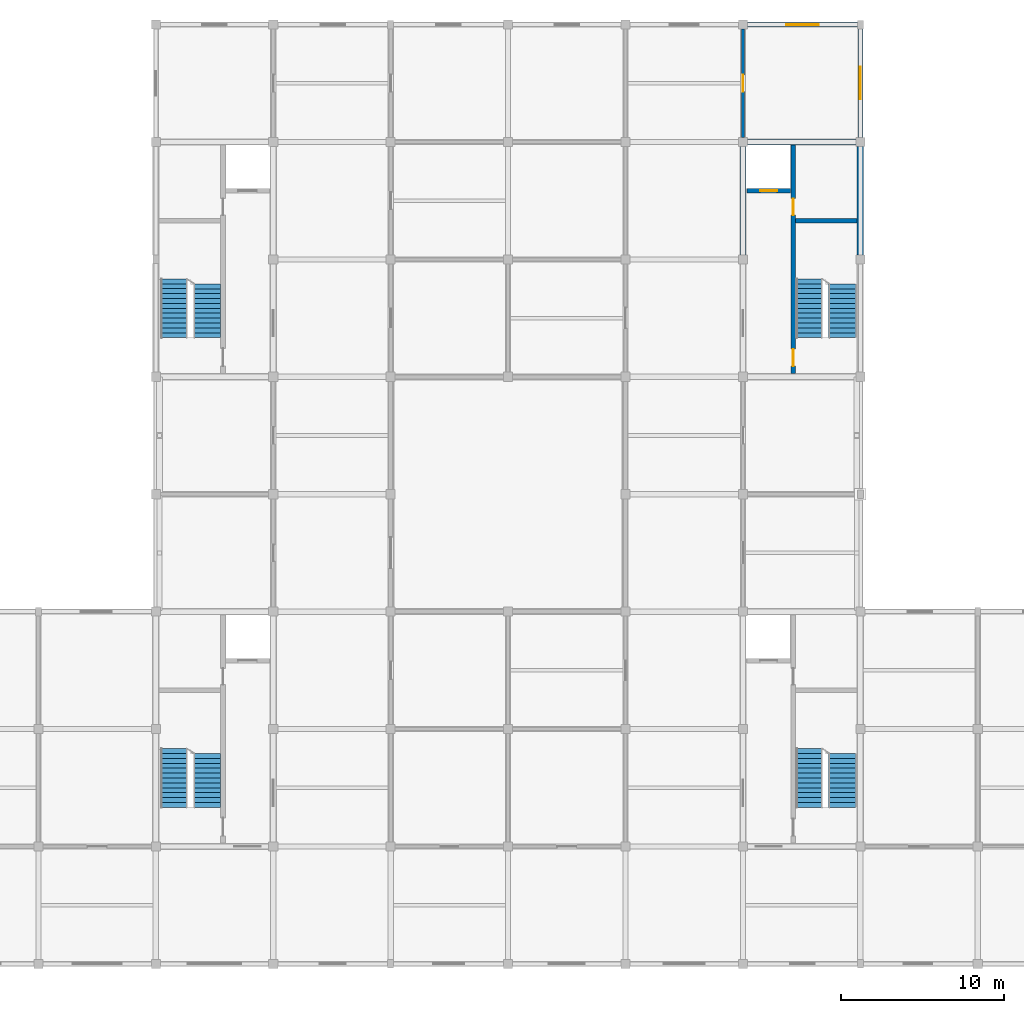
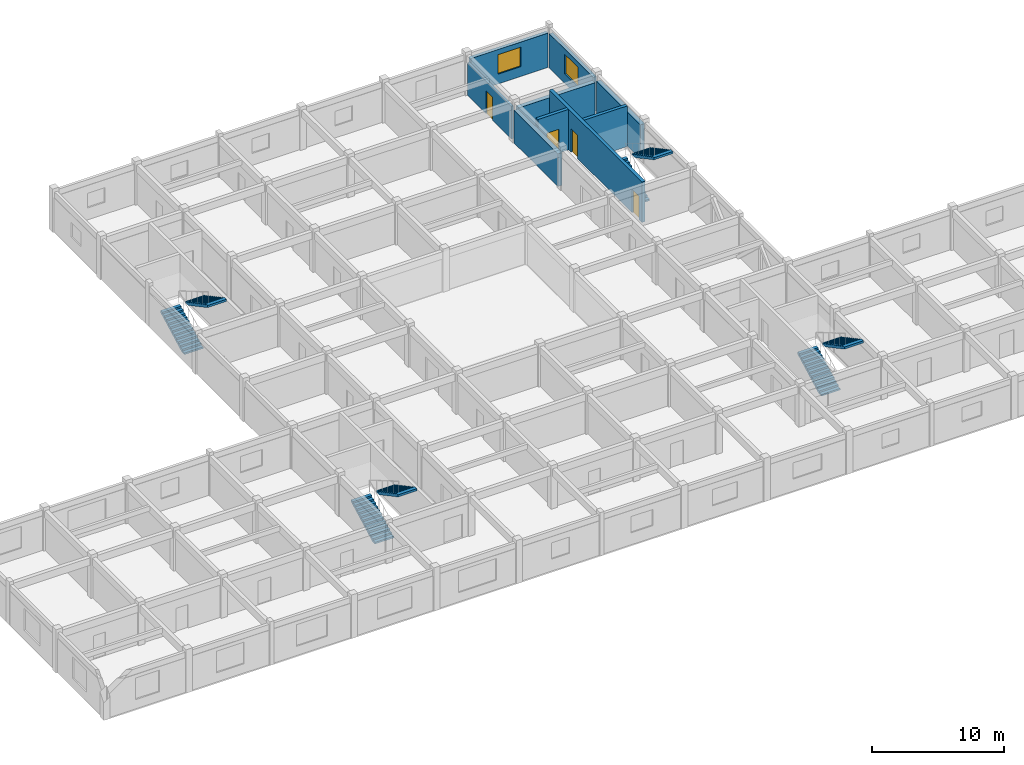
# One storey, part 9 of 10: 9 walls, 8 stair flights, 4 doors, 2 windows, 6 openings, 4 elements without a shape of their own.
"""IFC4 building model written with IfcOpenShell, lengths in metres."""

from ifc_helpers import new_model, si_unit, direction, frame, frame_2d, origin, place, context, subcontext, project, spatial, polyline, rectangle, outline, extrude, material, layer, layer_set, type_object, element, fill, aggregate, save


model = new_model("IFC4")

# Units and contexts
model_context = context("Model", 3, precision=1e-05, world=origin(), true_north=direction((0.0, 1.0)))
body_context = subcontext(model_context, "Body", "Model", "MODEL_VIEW")
ifc_project = project(units=[si_unit("LENGTHUNIT", "METRE"), si_unit("AREAUNIT", "SQUARE_METRE"), si_unit("VOLUMEUNIT", "CUBIC_METRE"), si_unit("PLANEANGLEUNIT", "RADIAN"), si_unit("MASSUNIT", "GRAM", prefix="KILO")], contexts=[model_context])

# Site, building, storey
site_placement = place(None, origin())
site = spatial("IfcSite", under=ifc_project, at=site_placement, CompositionType="ELEMENT")
building_placement = place(site_placement, origin())
building = spatial("IfcBuilding", under=site, at=building_placement, Name="Cendaluz Park School", CompositionType="ELEMENT")
storey_placement = place(building_placement, frame((0.0, 0.0, 38.800048828125)))
storey = spatial("IfcBuildingStorey", under=building, at=storey_placement, Name="L09", CompositionType="ELEMENT", Elevation=38.800048828125)

# Wall, opening, door
ifc_material_1 = material(Name="Gypsum Plasterboard on Cold-Formed Stud", Category="gypsum")
ifc_layer_1 = layer(ifc_material_1, 0.199951171875)
ifc_layer_set_1 = layer_set([ifc_layer_1], Name="Gypsum Plasterboard on Cold-Formed Stud")
wall_type_1 = type_object("IfcWallType", Name="W-AC20", PredefinedType="PARTITIONING", material=ifc_layer_set_1)
wall_1_placement = place(storey_placement, frame((100.800048828125, 57.8798828125, 0.0), z_axis=(0.0, 0.0, 1.0), x_axis=(0.0, 1.0, 0.0)))
wall_1 = element("IfcWall", 1, at=wall_1_placement, inside=storey, type_object=wall_type_1, Name="WL-FJ-BQ7", PredefinedType="PARTITIONING", context=body_context, shape_type="SweptSolid", body=[
    extrude(rectangle(XDim=6.64013671875, YDim=0.199951171875, at=frame_2d((3.320068359375, 0.0))), origin(), (0.0, 0.0, 1.0), 3.010009765625),
])
opening_1_placement = place(wall_1_placement, frame((2.81005859375, 0.0, 0.0)))
opening_1 = element("IfcOpeningElement", 2, at=opening_1_placement, cuts=wall_1, Name="Opening DCL-02", PredefinedType="OPENING", context=body_context, shape_type="SweptSolid", body=[
    extrude(rectangle(XDim=1.02001953125, YDim=2.1201171875, at=frame_2d((0.510009765625, 1.06005859375))), frame((0.0, 0.112060546875, 0.0), z_axis=(0.0, -1.0, 0.0), x_axis=(1.0, 0.0, 0.0)), (0.0, 0.0, 1.0), 0.223876953125),
])
ifc_material_2 = material(Name="Solid Core Hardwood", Category="wood")
door_type_1 = type_object("IfcDoorType", Name="DCL-02", OperationType="NOTDEFINED", PredefinedType="DOOR", material=ifc_material_2)
door_1_placement = place(opening_1_placement, frame((1.02001953125, 0.0, 0.0), z_axis=(0.0, 0.0, 1.0), x_axis=(-1.0, 0.0, 0.0)))
door_1 = element("IfcDoor", 3, at=door_1_placement, inside=storey, type_object=door_type_1, Name="D-L09-040", OperationType="SINGLE_SWING_RIGHT", OverallHeight=2.1201171875, OverallWidth=1.02001953125, PredefinedType="DOOR", context=body_context, shape_type="SweptSolid", body=[
    extrude(rectangle(XDim=1.02001953125, YDim=2.1201171875, at=frame_2d((0.510009765625, 1.06005859375))), frame((0.0, 0.02490234375, 0.0), z_axis=(0.0, -1.0, 0.0), x_axis=(1.0, 0.0, 0.0)), (0.0, 0.0, 1.0), 0.050048828125),
])
fill(opening_1, door_1)

# Wall, opening, window
ifc_material_3 = material(Name="Cross-laminated timber CLT C24", Category="wood")
ifc_layer_2 = layer(ifc_material_3, 0.300048828125)
ifc_layer_set_2 = layer_set([ifc_layer_2], Name="Cross-laminated timber CLT C24")
wall_type_2 = type_object("IfcWallType", Name="W-EX30", PredefinedType="SOLIDWALL", material=ifc_layer_set_2)
wall_2_placement = place(storey_placement, frame((101.080078125, 64.800048828125, 0.0), z_axis=(0.0, 0.0, 1.0), x_axis=(1.0, 0.0, 0.0)))
wall_2 = element("IfcWall", 4, at=wall_2_placement, inside=storey, type_object=wall_type_2, Name="WL-FJ-AC7", PredefinedType="SOLIDWALL", context=body_context, shape_type="SweptSolid", body=[
    extrude(rectangle(XDim=6.739990234375, YDim=0.300048828125, at=frame_2d((3.3701171875, 0.0))), origin(), (0.0, 0.0, 1.0), 3.169921875),
])
opening_2_placement = place(wall_2_placement, frame((2.3701171875, 0.0, 0.89990234375)))
opening_2 = element("IfcOpeningElement", 5, at=opening_2_placement, cuts=wall_2, Name="Opening WN-02", PredefinedType="OPENING", context=body_context, shape_type="SweptSolid", body=[
    extrude(rectangle(XDim=2.0, YDim=1.800048828125, at=frame_2d((1.0, 0.89990234375))), frame((0.0, 0.162109375, 0.0), z_axis=(0.0, -1.0, 0.0), x_axis=(1.0, 0.0, 0.0)), (0.0, 0.0, 1.0), 0.323974609375),
])
ifc_material_4 = material(Name="Tempered Low-E Double Glazing", Category="glass")
window_type = type_object("IfcWindowType", Name="WN-02", PartitioningType="SINGLE_PANEL", PredefinedType="WINDOW", material=ifc_material_4)
window_1_placement = place(opening_2_placement, origin())
window_1 = element("IfcWindow", 6, at=window_1_placement, inside=storey, type_object=window_type, Name="WN-L09-024", OverallHeight=1.800048828125, OverallWidth=2.0, PartitioningType="SINGLE_PANEL", PredefinedType="WINDOW", context=body_context, shape_type="SweptSolid", body=[
    extrude(rectangle(XDim=2.0, YDim=1.800048828125, at=frame_2d((1.0, 0.89990234375))), frame((0.0, 0.030029296875, 0.0), z_axis=(0.0, -1.0, 0.0), x_axis=(1.0, 0.0, 0.0)), (0.0, 0.0, 1.0), 0.06005859375),
])
fill(opening_2, window_1)

wall_3_placement = place(storey_placement, frame((108.0, 57.8798828125, 0.0), z_axis=(0.0, 0.0, 1.0), x_axis=(0.0, 1.0, 0.0)))
wall_3 = element("IfcWall", 7, at=wall_3_placement, inside=storey, type_object=wall_type_2, Name="WL-FJ-AC8", PredefinedType="SOLIDWALL", context=body_context, shape_type="SweptSolid", body=[
    extrude(rectangle(XDim=6.66015625, YDim=0.300048828125, at=frame_2d((3.330078125, 0.0))), origin(), (0.0, 0.0, 1.0), 3.169921875),
])
opening_3_placement = place(wall_3_placement, frame((2.330078125, 0.0, 0.89990234375)))
opening_3 = element("IfcOpeningElement", 8, at=opening_3_placement, cuts=wall_3, Name="Opening WN-02", PredefinedType="OPENING", context=body_context, shape_type="SweptSolid", body=[
    extrude(rectangle(XDim=2.0, YDim=1.800048828125, at=frame_2d((1.0, 0.89990234375))), frame((0.0, 0.162109375, 0.0), z_axis=(0.0, -1.0, 0.0), x_axis=(1.0, 0.0, 0.0)), (0.0, 0.0, 1.0), 0.323974609375),
])
window_2_placement = place(opening_3_placement, origin())
window_2 = element("IfcWindow", 9, at=window_2_placement, inside=storey, type_object=window_type, Name="WN-L09-025", OverallHeight=1.800048828125, OverallWidth=2.0, PartitioningType="SINGLE_PANEL", PredefinedType="WINDOW", context=body_context, shape_type="SweptSolid", body=[
    extrude(rectangle(XDim=2.0, YDim=1.800048828125, at=frame_2d((1.0, 0.89990234375))), frame((0.0, 0.030029296875, 0.0), z_axis=(0.0, -1.0, 0.0), x_axis=(1.0, 0.0, 0.0)), (0.0, 0.0, 1.0), 0.06005859375),
])
fill(opening_3, window_2)

# Wall, openings, doors
ifc_material_5 = material(Name="Concrete C40/50", Category="concrete")
ifc_layer_3 = layer(ifc_material_5, 0.280029296875)
ifc_layer_set_3 = layer_set([ifc_layer_3], Name="Concrete C40/50")
wall_type_3 = type_object("IfcWallType", Name="W-FW28", PredefinedType="SHEAR", material=ifc_layer_set_3)
wall_4_placement = place(storey_placement, frame((103.8798828125, 43.39990234375, 0.0), z_axis=(0.0, 0.0, 1.0), x_axis=(0.0, 1.0, 0.0)))
wall_4 = element("IfcWall", 10, at=wall_4_placement, inside=storey, type_object=wall_type_3, Name="WL-FJ-BL1", PredefinedType="SHEAR", context=body_context, shape_type="SweptSolid", body=[
    extrude(rectangle(XDim=14.0, YDim=0.280029296875, at=frame_2d((7.0, 0.0))), origin(), (0.0, 0.0, 1.0), 3.739990234375),
])
opening_4_placement = place(wall_4_placement, frame((0.449951171875, 0.0, 0.0)))
opening_4 = element("IfcOpeningElement", 11, at=opening_4_placement, cuts=wall_4, Name="Opening DST-02", PredefinedType="OPENING", context=body_context, shape_type="SweptSolid", body=[
    extrude(rectangle(XDim=1.050048828125, YDim=2.14990234375, at=frame_2d((0.52490234375, 1.074951171875))), frame((0.0, 0.152099609375, 0.0), z_axis=(0.0, -1.0, 0.0), x_axis=(1.0, 0.0, 0.0)), (0.0, 0.0, 1.0), 0.303955078125),
])
opening_5_placement = place(wall_4_placement, frame((9.719970703125, 0.0, 0.0)))
opening_5 = element("IfcOpeningElement", 12, at=opening_5_placement, cuts=wall_4, Name="Opening DFC-01", PredefinedType="OPENING", context=body_context, shape_type="SweptSolid", body=[
    extrude(rectangle(XDim=1.0, YDim=2.14990234375, at=frame_2d((0.5, 1.074951171875))), frame((0.0, 0.152099609375, 0.0), z_axis=(0.0, -1.0, 0.0), x_axis=(1.0, 0.0, 0.0)), (0.0, 0.0, 1.0), 0.303955078125),
])
door_type_2 = type_object("IfcDoorType", Name="DFC-01", OperationType="NOTDEFINED", PredefinedType="DOOR", material=ifc_material_2)
door_2_placement = place(opening_5_placement, frame((1.0, 0.0, 0.0), z_axis=(0.0, 0.0, 1.0), x_axis=(-1.0, 0.0, 0.0)))
door_2 = element("IfcDoor", 13, at=door_2_placement, inside=storey, type_object=door_type_2, Name="D-L09-017", OperationType="SINGLE_SWING_LEFT", OverallHeight=2.14990234375, OverallWidth=1.0, PredefinedType="DOOR", context=body_context, shape_type="SweptSolid", body=[
    extrude(rectangle(XDim=1.0, YDim=2.14990234375, at=frame_2d((0.5, 1.074951171875))), frame((0.0, 0.02490234375, 0.0), z_axis=(0.0, -1.0, 0.0), x_axis=(1.0, 0.0, 0.0)), (0.0, 0.0, 1.0), 0.050048828125),
])
fill(opening_5, door_2)
door_type_3 = type_object("IfcDoorType", Name="DST-02", OperationType="NOTDEFINED", PredefinedType="DOOR", material=ifc_material_2)
door_3_placement = place(opening_4_placement, frame((1.050048828125, 0.0, 0.0), z_axis=(0.0, 0.0, 1.0), x_axis=(-1.0, 0.0, 0.0)))
door_3 = element("IfcDoor", 14, at=door_3_placement, inside=storey, type_object=door_type_3, Name="D-L09-016", OperationType="SINGLE_SWING_RIGHT", OverallHeight=2.14990234375, OverallWidth=1.050048828125, PredefinedType="DOOR", context=body_context, shape_type="SweptSolid", body=[
    extrude(rectangle(XDim=1.050048828125, YDim=2.14990234375, at=frame_2d((0.52490234375, 1.074951171875))), frame((0.0, 0.02490234375, 0.0), z_axis=(0.0, -1.0, 0.0), x_axis=(1.0, 0.0, 0.0)), (0.0, 0.0, 1.0), 0.050048828125),
])
fill(opening_4, door_3)

# Wall
wall_5_placement = place(storey_placement, frame((104.02001953125, 52.780029296875, 0.0), z_axis=(0.0, 0.0, 1.0), x_axis=(1.0, 0.0, 0.0)))
element("IfcWall", 15, at=wall_5_placement, inside=storey, type_object=wall_type_3, Name="WL-FJ-BL2", PredefinedType="SHEAR", context=body_context, shape_type="SweptSolid", body=[
    extrude(rectangle(XDim=3.780029296875, YDim=0.280029296875, at=frame_2d((1.89013671875, 0.0))), origin(), (0.0, 0.0, 1.0), 3.739990234375),
])

# Wall, opening, door
wall_6_placement = place(storey_placement, frame((101.0400390625, 54.60009765625, 0.0), z_axis=(0.0, 0.0, 1.0), x_axis=(1.0, 0.0, 0.0)))
wall_6 = element("IfcWall", 16, at=wall_6_placement, inside=storey, type_object=wall_type_3, Name="WL-FJ-BL3", PredefinedType="SHEAR", context=body_context, shape_type="SweptSolid", body=[
    extrude(rectangle(XDim=2.679931640625, YDim=0.280029296875, at=frame_2d((1.33984375, 0.0))), origin(), (0.0, 0.0, 1.0), 3.739990234375),
])
opening_6_placement = place(wall_6_placement, frame((0.81494140625, 0.0, 0.0)))
opening_6 = element("IfcOpeningElement", 17, at=opening_6_placement, cuts=wall_6, Name="Opening LD-02", PredefinedType="OPENING", context=body_context, shape_type="SweptSolid", body=[
    extrude(rectangle(XDim=1.050048828125, YDim=2.199951171875, at=frame_2d((0.52490234375, 1.10009765625))), frame((0.0, 0.152099609375, 0.0), z_axis=(0.0, -1.0, 0.0), x_axis=(1.0, 0.0, 0.0)), (0.0, 0.0, 1.0), 0.303955078125),
])
ifc_material_6 = material(Name="Stainless Steel 316L", Category="steel")
door_type_4 = type_object("IfcDoorType", Name="LD-02", OperationType="DOUBLE_DOOR_SLIDING", PredefinedType="DOOR", material=ifc_material_6)
door_4_placement = place(opening_6_placement, frame((1.050048828125, 0.0, 0.0), z_axis=(0.0, 0.0, 1.0), x_axis=(-1.0, 0.0, 0.0)))
door_4 = element("IfcDoor", 18, at=door_4_placement, inside=storey, type_object=door_type_4, Name="D-L09-018", OperationType="DOUBLE_DOOR_SLIDING", OverallHeight=2.199951171875, OverallWidth=1.050048828125, PredefinedType="DOOR", context=body_context, shape_type="SweptSolid", body=[
    extrude(rectangle(XDim=1.050048828125, YDim=2.199951171875, at=frame_2d((0.52490234375, 1.10009765625))), frame((0.0, 0.02490234375, 0.0), z_axis=(0.0, -1.0, 0.0), x_axis=(1.0, 0.0, 0.0)), (0.0, 0.0, 1.0), 0.050048828125),
])
fill(opening_6, door_4)

# Walls
ifc_layer_4 = layer(ifc_material_5, 0.3798828125)
ifc_layer_set_4 = layer_set([ifc_layer_4], Name="Concrete C40/50")
wall_type_4 = type_object("IfcWallType", Name="W-SH38", PredefinedType="SHEAR", material=ifc_layer_set_4)
wall_7_placement = place(storey_placement, frame((100.800048828125, 50.679931640625, 0.0), z_axis=(0.0, 0.0, 1.0), x_axis=(0.0, 1.0, 0.0)))
element("IfcWall", 19, at=wall_7_placement, inside=storey, type_object=wall_type_4, Name="WL-FJ-BK6", PredefinedType="SHEAR", context=body_context, shape_type="SweptSolid", body=[
    extrude(rectangle(XDim=6.64013671875, YDim=0.3798828125, at=frame_2d((3.320068359375, 0.0))), origin(), (0.0, 0.0, 1.0), 3.010009765625),
])
wall_8_placement = place(storey_placement, frame((108.0, 50.679931640625, 0.0), z_axis=(0.0, 0.0, 1.0), x_axis=(0.0, 1.0, 0.0)))
element("IfcWall", 20, at=wall_8_placement, inside=storey, type_object=wall_type_4, Name="WL-FJ-BK8", PredefinedType="SHEAR", context=body_context, shape_type="SweptSolid", body=[
    extrude(rectangle(XDim=6.64013671875, YDim=0.3798828125, at=frame_2d((3.320068359375, 0.0))), origin(), (0.0, 0.0, 1.0), 3.169921875),
])
wall_9_placement = place(storey_placement, frame((101.080078125, 57.60009765625, 0.0), z_axis=(0.0, 0.0, 1.0), x_axis=(1.0, 0.0, 0.0)))
element("IfcWall", 21, at=wall_9_placement, inside=storey, type_object=wall_type_4, Name="WL-FJ-BL0", PredefinedType="SHEAR", context=body_context, shape_type="SweptSolid", body=[
    extrude(rectangle(XDim=6.639892578125, YDim=0.3798828125, at=frame_2d((3.31982421875, 0.0))), origin(), (0.0, 0.0, 1.0), 3.010009765625),
])

# Stair, stair flight
stair_type = type_object("IfcStairType", Name="ST-400-165", PredefinedType="HALF_TURN_STAIR", material=ifc_material_3)
stair_1_placement = place(storey_placement, origin())
stair_1 = element("IfcStair", 22, at=stair_1_placement, inside=storey, type_object=stair_type, Name="ST-L09-C1", PredefinedType="HALF_TURN_STAIR")
stair_flight_type_1 = type_object("IfcStairFlightType", Name="SF-12-160-165", PredefinedType="STRAIGHT", material=ifc_material_3)
stair_flight_1_placement = place(storey_placement, frame((67.93505859375, 20.10009765625, 2.079833984375), z_axis=(0.0, 0.0, 1.0), x_axis=(0.0, -1.0, 0.0)))
stair_flight_1 = element("IfcStairFlight", 23, at=stair_flight_1_placement, type_object=stair_flight_type_1, Name="SF-L09-C1-2", NumberOfRisers=12, NumberOfTreads=11, PredefinedType="STRAIGHT", RiserHeight=0.16, TreadLength=0.3, context=body_context, shape_type="SweptSolid", body=[
    extrude(outline(polyline([(0.0, 0.0), (0.0, 0.159912109375), (0.300048828125, 0.159912109375), (0.300048828125, 0.320068359375), (0.60009765625, 0.320068359375), (0.60009765625, 0.47998046875), (0.89990234375, 0.47998046875), (0.89990234375, 0.639892578125), (1.199951171875, 0.639892578125), (1.199951171875, 0.800048828125), (1.5, 0.800048828125), (1.5, 0.9599609375), (1.800048828125, 0.9599609375), (1.800048828125, 1.1201171875), (2.10009765625, 1.1201171875), (2.10009765625, 1.280029296875), (2.39990234375, 1.280029296875), (2.39990234375, 1.43994140625), (2.699951171875, 1.43994140625), (2.699951171875, 1.60009765625), (3.0, 1.60009765625), (3.0, 1.760009765625), (3.300048828125, 1.760009765625), (3.300048828125, 1.919921875), (3.300048828125, 1.55615234375), (0.38232421875, 0.0), (0.0, 0.0)])), frame((0.0, 0.824951171875, 0.0), z_axis=(0.0, -1.0, 0.0), x_axis=(1.0, 0.0, 0.0)), (0.0, 0.0, 1.0), 1.64990234375),
])

stair_2_placement = place(storey_placement, origin())
stair_2 = element("IfcStair", 24, at=stair_2_placement, inside=storey, type_object=stair_type, Name="ST-L09-C2", PredefinedType="HALF_TURN_STAIR")
stair_flight_2_placement = place(storey_placement, frame((106.885009765625, 20.10009765625, 2.079833984375), z_axis=(0.0, 0.0, 1.0), x_axis=(0.0, -1.0, 0.0)))
stair_flight_2 = element("IfcStairFlight", 25, at=stair_flight_2_placement, type_object=stair_flight_type_1, Name="SF-L09-C2-2", NumberOfRisers=12, NumberOfTreads=11, PredefinedType="STRAIGHT", RiserHeight=0.16, TreadLength=0.3, context=body_context, shape_type="SweptSolid", body=[
    extrude(outline(polyline([(0.0, 0.0), (0.0, 0.159912109375), (0.300048828125, 0.159912109375), (0.300048828125, 0.320068359375), (0.60009765625, 0.320068359375), (0.60009765625, 0.47998046875), (0.89990234375, 0.47998046875), (0.89990234375, 0.639892578125), (1.199951171875, 0.639892578125), (1.199951171875, 0.800048828125), (1.5, 0.800048828125), (1.5, 0.9599609375), (1.800048828125, 0.9599609375), (1.800048828125, 1.1201171875), (2.10009765625, 1.1201171875), (2.10009765625, 1.280029296875), (2.39990234375, 1.280029296875), (2.39990234375, 1.43994140625), (2.699951171875, 1.43994140625), (2.699951171875, 1.60009765625), (3.0, 1.60009765625), (3.0, 1.760009765625), (3.300048828125, 1.760009765625), (3.300048828125, 1.919921875), (3.300048828125, 1.55615234375), (0.38232421875, 0.0), (0.0, 0.0)])), frame((0.0, 0.824951171875, 0.0), z_axis=(0.0, -1.0, 0.0), x_axis=(1.0, 0.0, 0.0)), (0.0, 0.0, 1.0), 1.64990234375),
])

stair_3_placement = place(storey_placement, origin())
stair_3 = element("IfcStair", 26, at=stair_3_placement, inside=storey, type_object=stair_type, Name="ST-L09-C3", PredefinedType="HALF_TURN_STAIR")
stair_flight_3_placement = place(storey_placement, frame((67.93505859375, 48.89990234375, 2.079833984375), z_axis=(0.0, 0.0, 1.0), x_axis=(0.0, -1.0, 0.0)))
stair_flight_3 = element("IfcStairFlight", 27, at=stair_flight_3_placement, type_object=stair_flight_type_1, Name="SF-L09-C3-2", NumberOfRisers=12, NumberOfTreads=11, PredefinedType="STRAIGHT", RiserHeight=0.16, TreadLength=0.3, context=body_context, shape_type="SweptSolid", body=[
    extrude(outline(polyline([(0.0, 0.0), (0.0, 0.159912109375), (0.300048828125, 0.159912109375), (0.300048828125, 0.320068359375), (0.60009765625, 0.320068359375), (0.60009765625, 0.47998046875), (0.89990234375, 0.47998046875), (0.89990234375, 0.639892578125), (1.199951171875, 0.639892578125), (1.199951171875, 0.800048828125), (1.5, 0.800048828125), (1.5, 0.9599609375), (1.800048828125, 0.9599609375), (1.800048828125, 1.1201171875), (2.10009765625, 1.1201171875), (2.10009765625, 1.280029296875), (2.39990234375, 1.280029296875), (2.39990234375, 1.43994140625), (2.699951171875, 1.43994140625), (2.699951171875, 1.60009765625), (3.0, 1.60009765625), (3.0, 1.760009765625), (3.300048828125, 1.760009765625), (3.300048828125, 1.919921875), (3.300048828125, 1.55615234375), (0.38232421875, 0.0), (0.0, 0.0)])), frame((0.0, 0.824951171875, 0.0), z_axis=(0.0, -1.0, 0.0), x_axis=(1.0, 0.0, 0.0)), (0.0, 0.0, 1.0), 1.64990234375),
])

stair_4_placement = place(storey_placement, origin())
stair_4 = element("IfcStair", 28, at=stair_4_placement, inside=storey, type_object=stair_type, Name="ST-L09-C4", PredefinedType="HALF_TURN_STAIR")
stair_flight_4_placement = place(storey_placement, frame((106.885009765625, 48.89990234375, 2.079833984375), z_axis=(0.0, 0.0, 1.0), x_axis=(0.0, -1.0, 0.0)))
stair_flight_4 = element("IfcStairFlight", 29, at=stair_flight_4_placement, type_object=stair_flight_type_1, Name="SF-L09-C4-2", NumberOfRisers=12, NumberOfTreads=11, PredefinedType="STRAIGHT", RiserHeight=0.16, TreadLength=0.3, context=body_context, shape_type="SweptSolid", body=[
    extrude(outline(polyline([(0.0, 0.0), (0.0, 0.159912109375), (0.300048828125, 0.159912109375), (0.300048828125, 0.320068359375), (0.60009765625, 0.320068359375), (0.60009765625, 0.47998046875), (0.89990234375, 0.47998046875), (0.89990234375, 0.639892578125), (1.199951171875, 0.639892578125), (1.199951171875, 0.800048828125), (1.5, 0.800048828125), (1.5, 0.9599609375), (1.800048828125, 0.9599609375), (1.800048828125, 1.1201171875), (2.10009765625, 1.1201171875), (2.10009765625, 1.280029296875), (2.39990234375, 1.280029296875), (2.39990234375, 1.43994140625), (2.699951171875, 1.43994140625), (2.699951171875, 1.60009765625), (3.0, 1.60009765625), (3.0, 1.760009765625), (3.300048828125, 1.760009765625), (3.300048828125, 1.919921875), (3.300048828125, 1.55615234375), (0.38232421875, 0.0), (0.0, 0.0)])), frame((0.0, 0.824951171875, 0.0), z_axis=(0.0, -1.0, 0.0), x_axis=(1.0, 0.0, 0.0)), (0.0, 0.0, 1.0), 1.64990234375),
])

# Stair flight
stair_flight_type_2 = type_object("IfcStairFlightType", Name="SF-13-160-165", PredefinedType="STRAIGHT", material=ifc_material_3)
stair_flight_5_placement = place(storey_placement, frame((65.9150390625, 16.800048828125, 0.0), z_axis=(0.0, 0.0, 1.0), x_axis=(0.0, 1.0, 0.0)))
stair_flight_5 = element("IfcStairFlight", 30, at=stair_flight_5_placement, type_object=stair_flight_type_2, Name="SF-L09-C1-1", NumberOfRisers=13, NumberOfTreads=12, PredefinedType="STRAIGHT", RiserHeight=0.16, TreadLength=0.3, context=body_context, shape_type="SweptSolid", body=[
    extrude(outline(polyline([(0.0, 0.0), (0.0, 0.159912109375), (0.300048828125, 0.159912109375), (0.300048828125, 0.320068359375), (0.60009765625, 0.320068359375), (0.60009765625, 0.47998046875), (0.89990234375, 0.47998046875), (0.89990234375, 0.639892578125), (1.199951171875, 0.639892578125), (1.199951171875, 0.800048828125), (1.5, 0.800048828125), (1.5, 0.9599609375), (1.800048828125, 0.9599609375), (1.800048828125, 1.1201171875), (2.10009765625, 1.1201171875), (2.10009765625, 1.280029296875), (2.39990234375, 1.280029296875), (2.39990234375, 1.43994140625), (2.699951171875, 1.43994140625), (2.699951171875, 1.60009765625), (3.0, 1.60009765625), (3.0, 1.760009765625), (3.300048828125, 1.760009765625), (3.300048828125, 1.919921875), (3.60009765625, 1.919921875), (3.60009765625, 2.080078125), (3.60009765625, 1.716064453125), (0.38232421875, 0.0), (0.0, 0.0)])), frame((0.0, 0.824951171875, 0.0), z_axis=(0.0, -1.0, 0.0), x_axis=(1.0, 0.0, 0.0)), (0.0, 0.0, 1.0), 1.64990234375),
])

aggregate(stair_1, [stair_flight_5, stair_flight_1])

stair_flight_6_placement = place(storey_placement, frame((104.864990234375, 16.800048828125, 0.0), z_axis=(0.0, 0.0, 1.0), x_axis=(0.0, 1.0, 0.0)))
stair_flight_6 = element("IfcStairFlight", 31, at=stair_flight_6_placement, type_object=stair_flight_type_2, Name="SF-L09-C2-1", NumberOfRisers=13, NumberOfTreads=12, PredefinedType="STRAIGHT", RiserHeight=0.16, TreadLength=0.3, context=body_context, shape_type="SweptSolid", body=[
    extrude(outline(polyline([(0.0, 0.0), (0.0, 0.159912109375), (0.300048828125, 0.159912109375), (0.300048828125, 0.320068359375), (0.60009765625, 0.320068359375), (0.60009765625, 0.47998046875), (0.89990234375, 0.47998046875), (0.89990234375, 0.639892578125), (1.199951171875, 0.639892578125), (1.199951171875, 0.800048828125), (1.5, 0.800048828125), (1.5, 0.9599609375), (1.800048828125, 0.9599609375), (1.800048828125, 1.1201171875), (2.10009765625, 1.1201171875), (2.10009765625, 1.280029296875), (2.39990234375, 1.280029296875), (2.39990234375, 1.43994140625), (2.699951171875, 1.43994140625), (2.699951171875, 1.60009765625), (3.0, 1.60009765625), (3.0, 1.760009765625), (3.300048828125, 1.760009765625), (3.300048828125, 1.919921875), (3.60009765625, 1.919921875), (3.60009765625, 2.080078125), (3.60009765625, 1.716064453125), (0.38232421875, 0.0), (0.0, 0.0)])), frame((0.0, 0.824951171875, 0.0), z_axis=(0.0, -1.0, 0.0), x_axis=(1.0, 0.0, 0.0)), (0.0, 0.0, 1.0), 1.64990234375),
])

aggregate(stair_2, [stair_flight_6, stair_flight_2])

stair_flight_7_placement = place(storey_placement, frame((65.9150390625, 45.60009765625, 0.0), z_axis=(0.0, 0.0, 1.0), x_axis=(0.0, 1.0, 0.0)))
stair_flight_7 = element("IfcStairFlight", 32, at=stair_flight_7_placement, type_object=stair_flight_type_2, Name="SF-L09-C3-1", NumberOfRisers=13, NumberOfTreads=12, PredefinedType="STRAIGHT", RiserHeight=0.16, TreadLength=0.3, context=body_context, shape_type="SweptSolid", body=[
    extrude(outline(polyline([(0.0, 0.0), (0.0, 0.159912109375), (0.300048828125, 0.159912109375), (0.300048828125, 0.320068359375), (0.60009765625, 0.320068359375), (0.60009765625, 0.47998046875), (0.89990234375, 0.47998046875), (0.89990234375, 0.639892578125), (1.199951171875, 0.639892578125), (1.199951171875, 0.800048828125), (1.5, 0.800048828125), (1.5, 0.9599609375), (1.800048828125, 0.9599609375), (1.800048828125, 1.1201171875), (2.10009765625, 1.1201171875), (2.10009765625, 1.280029296875), (2.39990234375, 1.280029296875), (2.39990234375, 1.43994140625), (2.699951171875, 1.43994140625), (2.699951171875, 1.60009765625), (3.0, 1.60009765625), (3.0, 1.760009765625), (3.300048828125, 1.760009765625), (3.300048828125, 1.919921875), (3.60009765625, 1.919921875), (3.60009765625, 2.080078125), (3.60009765625, 1.716064453125), (0.38232421875, 0.0), (0.0, 0.0)])), frame((0.0, 0.824951171875, 0.0), z_axis=(0.0, -1.0, 0.0), x_axis=(1.0, 0.0, 0.0)), (0.0, 0.0, 1.0), 1.64990234375),
])

aggregate(stair_3, [stair_flight_7, stair_flight_3])

stair_flight_8_placement = place(storey_placement, frame((104.864990234375, 45.60009765625, 0.0), z_axis=(0.0, 0.0, 1.0), x_axis=(0.0, 1.0, 0.0)))
stair_flight_8 = element("IfcStairFlight", 33, at=stair_flight_8_placement, type_object=stair_flight_type_2, Name="SF-L09-C4-1", NumberOfRisers=13, NumberOfTreads=12, PredefinedType="STRAIGHT", RiserHeight=0.16, TreadLength=0.3, context=body_context, shape_type="SweptSolid", body=[
    extrude(outline(polyline([(0.0, 0.0), (0.0, 0.159912109375), (0.300048828125, 0.159912109375), (0.300048828125, 0.320068359375), (0.60009765625, 0.320068359375), (0.60009765625, 0.47998046875), (0.89990234375, 0.47998046875), (0.89990234375, 0.639892578125), (1.199951171875, 0.639892578125), (1.199951171875, 0.800048828125), (1.5, 0.800048828125), (1.5, 0.9599609375), (1.800048828125, 0.9599609375), (1.800048828125, 1.1201171875), (2.10009765625, 1.1201171875), (2.10009765625, 1.280029296875), (2.39990234375, 1.280029296875), (2.39990234375, 1.43994140625), (2.699951171875, 1.43994140625), (2.699951171875, 1.60009765625), (3.0, 1.60009765625), (3.0, 1.760009765625), (3.300048828125, 1.760009765625), (3.300048828125, 1.919921875), (3.60009765625, 1.919921875), (3.60009765625, 2.080078125), (3.60009765625, 1.716064453125), (0.38232421875, 0.0), (0.0, 0.0)])), frame((0.0, 0.824951171875, 0.0), z_axis=(0.0, -1.0, 0.0), x_axis=(1.0, 0.0, 0.0)), (0.0, 0.0, 1.0), 1.64990234375),
])

aggregate(stair_4, [stair_flight_8, stair_flight_4])

save(model, "model.ifc")
